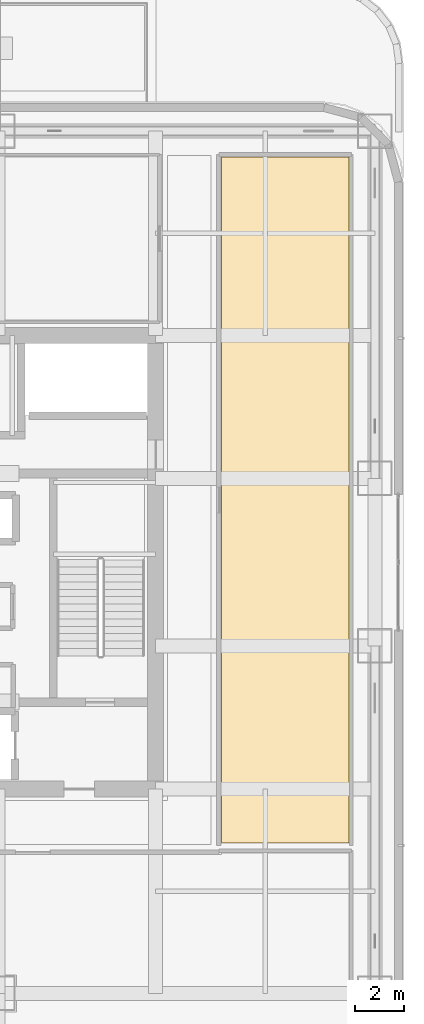
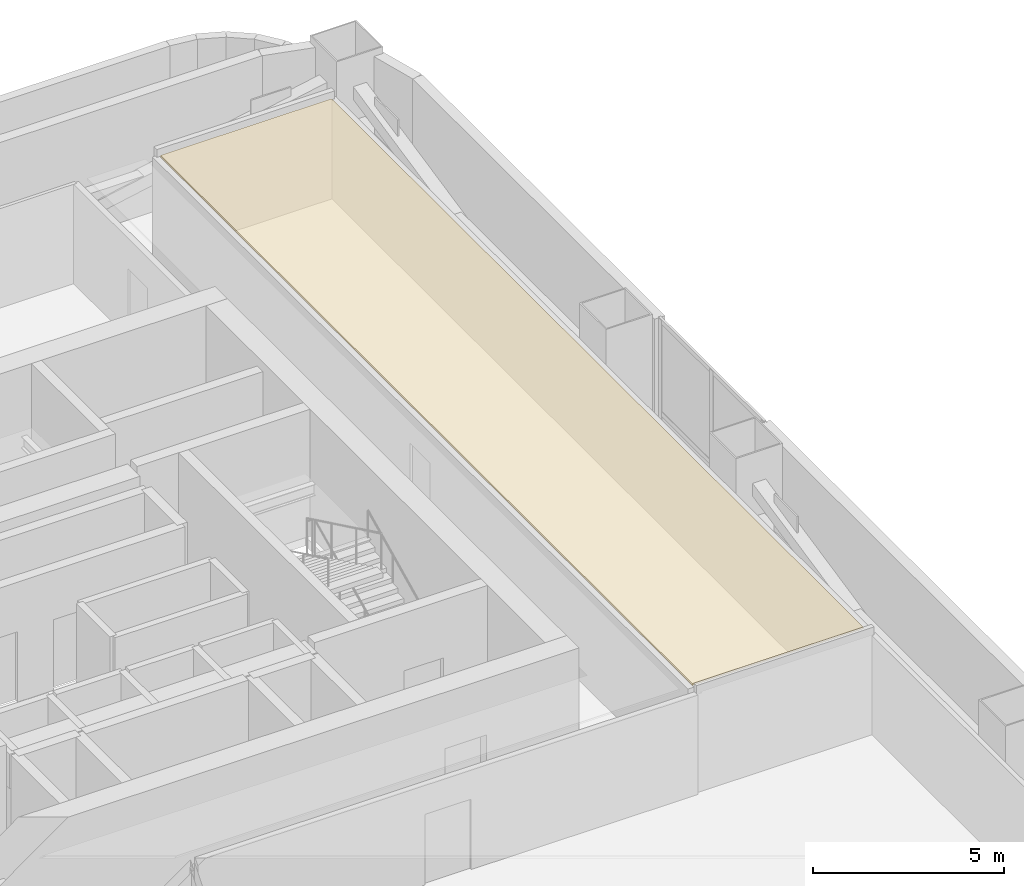
# One storey, part 26 of 29: 1 covering.
"""IFC4 building model written with IfcOpenShell, lengths in metres."""

from ifc_helpers import new_model, si_unit, direction, frame, origin, place, context, subcontext, project, spatial, polyline, outline, extrude, material, layer, layer_set, type_object, element, save


model = new_model("IFC4")

# Units and contexts
model_context = context("Model", 3, precision=1e-05, world=origin(), true_north=direction((0.0, 1.0)))
body_context = subcontext(model_context, "Body", "Model", "MODEL_VIEW")
ifc_project = project(units=[si_unit("LENGTHUNIT", "METRE"), si_unit("AREAUNIT", "SQUARE_METRE"), si_unit("VOLUMEUNIT", "CUBIC_METRE"), si_unit("PLANEANGLEUNIT", "RADIAN"), si_unit("MASSUNIT", "GRAM", prefix="KILO")], contexts=[model_context])

# Site, building, storey
site_placement = place(None, origin())
site = spatial("IfcSite", under=ifc_project, at=site_placement, CompositionType="ELEMENT")
building_placement = place(site_placement, origin())
building = spatial("IfcBuilding", under=site, at=building_placement, Name="Punatoya Terracotta Tower", CompositionType="ELEMENT")
storey_placement = place(building_placement, frame((0.0, 0.0, 172.199951171875)))
storey = spatial("IfcBuildingStorey", under=building, at=storey_placement, Name="L40", CompositionType="ELEMENT", Elevation=172.199951171875)

# Covering
ifc_material = material(Name="Acoustic Mineral Fibre Ceiling")
ifc_layer = layer(ifc_material, 0.06005859375)
ifc_layer_set = layer_set([ifc_layer], Name="Acoustic Mineral Fibre Ceiling")
covering_type = type_object("IfcCoveringType", Name="COV-CEIL-60", PredefinedType="CEILING", material=ifc_layer_set)
covering_placement = place(storey_placement, frame((0.0, 0.0, 3.16015625)))
element("IfcCovering", 1, at=covering_placement, inside=storey, type_object=covering_type, Name="L40 Hospitality Tea Pantry Acoustic Ceiling", PredefinedType="CEILING", context=body_context, shape_type="SweptSolid", body=[
    extrude(outline(polyline([(12.8701171875, 16.43994140625), (12.8701171875, -11.389892578125), (18.0400390625, -11.389892578125), (18.0400390625, 16.43994140625), (12.8701171875, 16.43994140625)])), origin(), (0.0, 0.0, 1.0), 0.059814453125),
])

save(model, "model.ifc")
